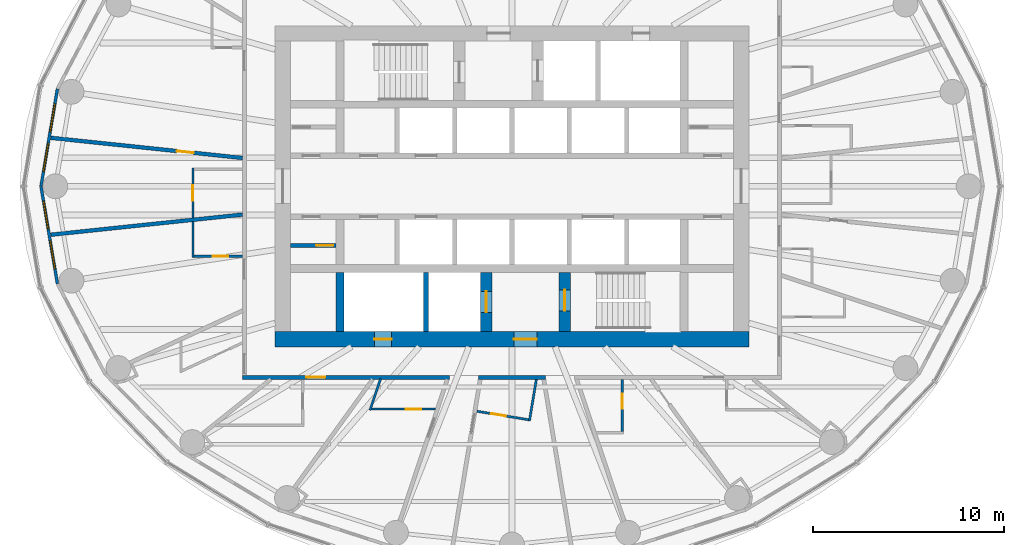
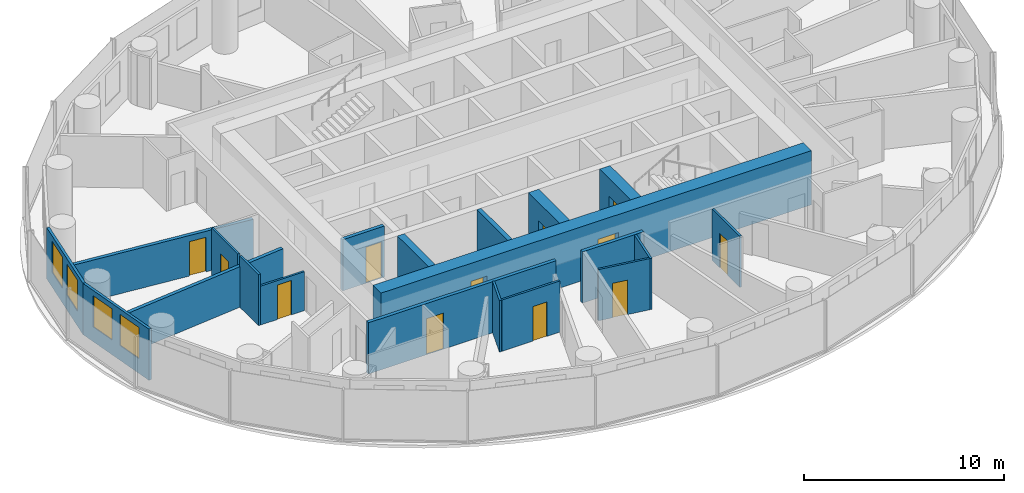
# One storey, part 7 of 13: 20 walls, 12 doors, 4 windows, 16 openings.
"""IFC4 building model written with IfcOpenShell, lengths in metres."""

from ifc_helpers import new_model, si_unit, direction, frame, frame_2d, origin, place, context, subcontext, project, spatial, rectangle, extrude, material, layer, layer_set, type_object, element, fill, save


model = new_model("IFC4")

# Units and contexts
model_context = context("Model", 3, precision=1e-05, world=origin(), true_north=direction((0.0, 1.0)))
body_context = subcontext(model_context, "Body", "Model", "MODEL_VIEW")
ifc_project = project(units=[si_unit("LENGTHUNIT", "METRE"), si_unit("AREAUNIT", "SQUARE_METRE"), si_unit("VOLUMEUNIT", "CUBIC_METRE"), si_unit("PLANEANGLEUNIT", "RADIAN"), si_unit("MASSUNIT", "GRAM", prefix="KILO")], contexts=[model_context])

# Site, building, storey
site_placement = place(None, origin())
site = spatial("IfcSite", under=ifc_project, at=site_placement, CompositionType="ELEMENT")
building_placement = place(site_placement, origin())
building = spatial("IfcBuilding", under=site, at=building_placement, Name="Hankou Lantern Tower", CompositionType="ELEMENT")
storey_placement = place(building_placement, frame((0.0, 0.0, 128.699951171875)))
storey = spatial("IfcBuildingStorey", under=building, at=storey_placement, Name="L33", CompositionType="ELEMENT", Elevation=128.699951171875)

# Wall, openings, doors
ifc_material_1 = material(Name="Concrete C60", Category="concrete")
ifc_layer_1 = layer(ifc_material_1, 0.800048828125)
ifc_layer_set_1 = layer_set([ifc_layer_1], Name="Concrete C60")
wall_type_1 = type_object("IfcWallType", Name="CW2 CORE WALL 800", PredefinedType="SHEAR", material=ifc_layer_set_1)
wall_1_placement = place(storey_placement, frame((12.39990234375, -8.0, 0.0), z_axis=(0.0, 0.0, 1.0), x_axis=(-1.0, 0.0, 0.0)))
wall_1 = element("IfcWall", 1, at=wall_1_placement, inside=storey, type_object=wall_type_1, Name="Core wall south L33", PredefinedType="SHEAR", context=body_context, shape_type="SweptSolid", body=[
    extrude(rectangle(XDim=24.7998046875, YDim=0.800048828125, at=frame_2d((12.39990234375, 0.0))), origin(), (0.0, 0.0, 1.0), 3.300048828125),
])
opening_1_placement = place(wall_1_placement, frame((11.10009765625, 0.0, 0.0)))
opening_1 = element("IfcOpeningElement", 2, at=opening_1_placement, cuts=wall_1, Name="Opening D5", PredefinedType="OPENING", context=body_context, shape_type="SweptSolid", body=[
    extrude(rectangle(XDim=1.199951171875, YDim=2.199951171875, at=frame_2d((0.60009765625, 1.10009765625))), frame((0.0, 0.409912109375, 0.0), z_axis=(0.0, -1.0, 0.0), x_axis=(1.0, 0.0, 0.0)), (0.0, 0.0, 1.0), 0.820068359375),
])
opening_2_placement = place(wall_1_placement, frame((18.699951171875, 0.0, 0.0)))
opening_2 = element("IfcOpeningElement", 3, at=opening_2_placement, cuts=wall_1, Name="Opening D7", PredefinedType="OPENING", context=body_context, shape_type="SweptSolid", body=[
    extrude(rectangle(XDim=0.89990234375, YDim=2.199951171875, at=frame_2d((0.449951171875, 1.10009765625))), frame((0.0, 0.409912109375, 0.0), z_axis=(0.0, -1.0, 0.0), x_axis=(1.0, 0.0, 0.0)), (0.0, 0.0, 1.0), 0.820068359375),
])
ifc_material_2 = material(Name="Steel door leaf", Category="steel")
door_type_1 = type_object("IfcDoorType", Name="D5 STAIR LOBBY DOOR 1200X2200", OperationType="SINGLE_SWING_LEFT", PredefinedType="DOOR", material=ifc_material_2)
door_1_placement = place(opening_1_placement, origin())
door_1 = element("IfcDoor", 4, at=door_1_placement, inside=storey, type_object=door_type_1, Name="Stair B lobby door", OperationType="SINGLE_SWING_LEFT", OverallHeight=2.199951171875, OverallWidth=1.199951171875, PredefinedType="DOOR", context=body_context, shape_type="SweptSolid", body=[
    extrude(rectangle(XDim=1.199951171875, YDim=2.199951171875, at=frame_2d((0.60009765625, 1.10009765625))), frame((0.0, 0.02490234375, 0.0), z_axis=(0.0, -1.0, 0.0), x_axis=(1.0, 0.0, 0.0)), (0.0, 0.0, 1.0), 0.050048828125),
])
fill(opening_1, door_1)
ifc_material_3 = material(Name="Steel door leaf", Category="steel")
door_type_2 = type_object("IfcDoorType", Name="D7 RISER DOOR 900X2200", OperationType="SINGLE_SWING_LEFT", PredefinedType="DOOR", material=ifc_material_3)
door_2_placement = place(opening_2_placement, origin())
door_2 = element("IfcDoor", 5, at=door_2_placement, inside=storey, type_object=door_type_2, Name="Riser S1 door", OperationType="SINGLE_SWING_RIGHT", OverallHeight=2.199951171875, OverallWidth=0.89990234375, PredefinedType="DOOR", context=body_context, shape_type="SweptSolid", body=[
    extrude(rectangle(XDim=0.89990234375, YDim=2.199951171875, at=frame_2d((0.449951171875, 1.10009765625))), frame((0.0, 0.02490234375, 0.0), z_axis=(0.0, -1.0, 0.0), x_axis=(1.0, 0.0, 0.0)), (0.0, 0.0, 1.0), 0.050048828125),
])
fill(opening_2, door_2)

# Wall
ifc_material_4 = material(Name="Concrete C60", Category="concrete")
ifc_layer_2 = layer(ifc_material_4, 0.39990234375)
ifc_layer_set_2 = layer_set([ifc_layer_2], Name="Concrete C60")
wall_type_2 = type_object("IfcWallType", Name="CW4 CORE CROSS WALL 400", PredefinedType="SHEAR", material=ifc_layer_set_2)
wall_2_placement = place(storey_placement, frame((-9.0, -7.60009765625, 0.0), z_axis=(0.0, 0.0, 1.0), x_axis=(0.0, 1.0, 0.0)))
element("IfcWall", 6, at=wall_2_placement, inside=storey, type_object=wall_type_2, Name="Core strip wall L33", PredefinedType="SHEAR", context=body_context, shape_type="SweptSolid", body=[
    extrude(rectangle(XDim=3.10009765625, YDim=0.39990234375, at=frame_2d((1.550048828125, 0.0))), origin(), (0.0, 0.0, 1.0), 3.300048828125),
])

# Wall, opening, door
ifc_material_5 = material(Name="Concrete C60", Category="concrete")
ifc_layer_3 = layer(ifc_material_5, 0.60009765625)
ifc_layer_set_3 = layer_set([ifc_layer_3], Name="Concrete C60")
wall_type_3 = type_object("IfcWallType", Name="CW6 STAIR AND SHAFT WALL 600", PredefinedType="SHEAR", material=ifc_layer_set_3)
wall_3_placement = place(storey_placement, frame((2.75, -7.60009765625, 0.0), z_axis=(0.0, 0.0, 1.0), x_axis=(0.0, 1.0, 0.0)))
wall_3 = element("IfcWall", 7, at=wall_3_placement, inside=storey, type_object=wall_type_3, Name="Stair wall L33", PredefinedType="SHEAR", context=body_context, shape_type="SweptSolid", body=[
    extrude(rectangle(XDim=3.10009765625, YDim=0.60009765625, at=frame_2d((1.550048828125, 0.0))), origin(), (0.0, 0.0, 1.0), 3.300048828125),
])
opening_3_placement = place(wall_3_placement, frame((1.074951171875, 0.0, 0.0)))
opening_3 = element("IfcOpeningElement", 8, at=opening_3_placement, cuts=wall_3, Name="Opening D4", PredefinedType="OPENING", context=body_context, shape_type="SweptSolid", body=[
    extrude(rectangle(XDim=1.10009765625, YDim=2.199951171875, at=frame_2d((0.550048828125, 1.10009765625))), frame((0.0, 0.31005859375, 0.0), z_axis=(0.0, -1.0, 0.0), x_axis=(1.0, 0.0, 0.0)), (0.0, 0.0, 1.0), 0.6201171875),
])
ifc_material_6 = material(Name="Steel door leaf", Category="steel")
door_type_3 = type_object("IfcDoorType", Name="D4 STAIR DOOR 1100X2200", OperationType="SINGLE_SWING_LEFT", PredefinedType="DOOR", material=ifc_material_6)
door_3_placement = place(opening_3_placement, origin())
door_3 = element("IfcDoor", 9, at=door_3_placement, inside=storey, type_object=door_type_3, Name="Stair B door", OperationType="SINGLE_SWING_RIGHT", OverallHeight=2.199951171875, OverallWidth=1.10009765625, PredefinedType="DOOR", context=body_context, shape_type="SweptSolid", body=[
    extrude(rectangle(XDim=1.10009765625, YDim=2.199951171875, at=frame_2d((0.550048828125, 1.10009765625))), frame((0.0, 0.02490234375, 0.0), z_axis=(0.0, -1.0, 0.0), x_axis=(1.0, 0.0, 0.0)), (0.0, 0.0, 1.0), 0.050048828125),
])
fill(opening_3, door_3)

wall_4_placement = place(storey_placement, frame((-1.35009765625, -7.60009765625, 0.0), z_axis=(0.0, 0.0, 1.0), x_axis=(0.0, 1.0, 0.0)))
wall_4 = element("IfcWall", 10, at=wall_4_placement, inside=storey, type_object=wall_type_3, Name="Firefighting lift shaft wall L33", PredefinedType="SHEAR", context=body_context, shape_type="SweptSolid", body=[
    extrude(rectangle(XDim=3.10009765625, YDim=0.60009765625, at=frame_2d((1.550048828125, 0.0))), origin(), (0.0, 0.0, 1.0), 3.300048828125),
])
opening_4_placement = place(wall_4_placement, frame((1.0, 0.0, 0.0)))
opening_4 = element("IfcOpeningElement", 11, at=opening_4_placement, cuts=wall_4, Name="Opening LD2", PredefinedType="OPENING", context=body_context, shape_type="SweptSolid", body=[
    extrude(rectangle(XDim=1.10009765625, YDim=2.199951171875, at=frame_2d((0.550048828125, 1.10009765625))), frame((0.0, 0.31005859375, 0.0), z_axis=(0.0, -1.0, 0.0), x_axis=(1.0, 0.0, 0.0)), (0.0, 0.0, 1.0), 0.6201171875),
])
ifc_material_7 = material(Name="Steel door leaf", Category="steel")
door_type_4 = type_object("IfcDoorType", Name="LD2 FIREFIGHTING LIFT LANDING DOOR 1100X2200", OperationType="DOUBLE_DOOR_SLIDING", PredefinedType="DOOR", material=ifc_material_7)
door_4_placement = place(opening_4_placement, origin())
door_4 = element("IfcDoor", 12, at=door_4_placement, inside=storey, type_object=door_type_4, Name="Firefighting lift FL2 landing door", OperationType="DOUBLE_DOOR_SLIDING", OverallHeight=2.199951171875, OverallWidth=1.10009765625, PredefinedType="DOOR", context=body_context, shape_type="SweptSolid", body=[
    extrude(rectangle(XDim=1.10009765625, YDim=2.199951171875, at=frame_2d((0.550048828125, 1.10009765625))), frame((0.0, 0.02490234375, 0.0), z_axis=(0.0, -1.0, 0.0), x_axis=(1.0, 0.0, 0.0)), (0.0, 0.0, 1.0), 0.050048828125),
])
fill(opening_4, door_4)

# Wall, openings, windows
ifc_material_8 = material(Name="Aluminium spandrel panel on steel studs", Category="steel")
ifc_layer_4 = layer(ifc_material_8, 0.14990234375)
ifc_layer_set_4 = layer_set([ifc_layer_4], Name="Aluminium spandrel panel on steel studs")
wall_type_4 = type_object("IfcWallType", Name="EW1 INNER SKIN WALL 150", PredefinedType="ELEMENTEDWALL", material=ifc_layer_set_4)
wall_5_placement = place(storey_placement, frame((-23.7919921875, 5.10009765625, 0.0), z_axis=(0.0, 0.0, 1.0), x_axis=(-0.165883894218, -0.986145290329, 0.0)))
wall_5 = element("IfcWall", 13, at=wall_5_placement, inside=storey, type_object=wall_type_4, Name="Inner skin R12-R13 L33", PredefinedType="ELEMENTEDWALL", context=body_context, shape_type="SweptSolid", body=[
    extrude(rectangle(XDim=5.171630859375, YDim=0.14990234375, at=frame_2d((2.5859375, 0.0))), origin(), (0.0, 0.0, 1.0), 3.1201171875),
])
opening_5_placement = place(wall_5_placement, frame((0.785888671875, 0.0, 0.89990234375)))
opening_5 = element("IfcOpeningElement", 14, at=opening_5_placement, cuts=wall_5, Name="Opening W2", PredefinedType="OPENING", context=body_context, shape_type="SweptSolid", body=[
    extrude(rectangle(XDim=1.5, YDim=1.89990234375, at=frame_2d((0.75, 0.949951171875))), frame((0.0, 0.0849609375, 0.0), z_axis=(0.0, -1.0, 0.0), x_axis=(1.0, 0.0, 0.0)), (0.0, 0.0, 1.0), 0.169921875),
])
opening_6_placement = place(wall_5_placement, frame((2.8857421875, 0.0, 0.89990234375)))
opening_6 = element("IfcOpeningElement", 15, at=opening_6_placement, cuts=wall_5, Name="Opening W2", PredefinedType="OPENING", context=body_context, shape_type="SweptSolid", body=[
    extrude(rectangle(XDim=1.5, YDim=1.89990234375, at=frame_2d((0.75, 0.949951171875))), frame((0.0, 0.0849609375, 0.0), z_axis=(0.0, -1.0, 0.0), x_axis=(1.0, 0.0, 0.0)), (0.0, 0.0, 1.0), 0.169921875),
])
ifc_material_9 = material(Name="Aluminium framed double glazed window", Category="aluminium")
window_type = type_object("IfcWindowType", Name="W2 GUEST ROOM WINDOW 1500X1900", PartitioningType="DOUBLE_PANEL_VERTICAL", PredefinedType="WINDOW", material=ifc_material_9)
window_1_placement = place(opening_5_placement, origin())
window_1 = element("IfcWindow", 16, at=window_1_placement, inside=storey, type_object=window_type, Name="Window R12.1 L33", OverallHeight=1.89990234375, OverallWidth=1.5, PartitioningType="SINGLE_PANEL", PredefinedType="WINDOW", context=body_context, shape_type="SweptSolid", body=[
    extrude(rectangle(XDim=1.5, YDim=1.89990234375, at=frame_2d((0.75, 0.949951171875))), frame((0.0, 0.030029296875, 0.0), z_axis=(0.0, -1.0, 0.0), x_axis=(1.0, 0.0, 0.0)), (0.0, 0.0, 1.0), 0.06005859375),
])
fill(opening_5, window_1)
window_2_placement = place(opening_6_placement, origin())
window_2 = element("IfcWindow", 17, at=window_2_placement, inside=storey, type_object=window_type, Name="Window R12.2 L33", OverallHeight=1.89990234375, OverallWidth=1.5, PartitioningType="SINGLE_PANEL", PredefinedType="WINDOW", context=body_context, shape_type="SweptSolid", body=[
    extrude(rectangle(XDim=1.5, YDim=1.89990234375, at=frame_2d((0.75, 0.949951171875))), frame((0.0, 0.030029296875, 0.0), z_axis=(0.0, -1.0, 0.0), x_axis=(1.0, 0.0, 0.0)), (0.0, 0.0, 1.0), 0.06005859375),
])
fill(opening_6, window_2)

wall_6_placement = place(storey_placement, frame((-24.64990234375, 0.0, 0.0), z_axis=(0.0, 0.0, 1.0), x_axis=(0.165883894218, -0.986145290329, 0.0)))
wall_6 = element("IfcWall", 18, at=wall_6_placement, inside=storey, type_object=wall_type_4, Name="Inner skin R13-R14 L33", PredefinedType="ELEMENTEDWALL", context=body_context, shape_type="SweptSolid", body=[
    extrude(rectangle(XDim=5.171630859375, YDim=0.14990234375, at=frame_2d((2.5859375, 0.0))), origin(), (0.0, 0.0, 1.0), 3.1201171875),
])
opening_7_placement = place(wall_6_placement, frame((0.785888671875, 0.0, 0.89990234375)))
opening_7 = element("IfcOpeningElement", 19, at=opening_7_placement, cuts=wall_6, Name="Opening W2", PredefinedType="OPENING", context=body_context, shape_type="SweptSolid", body=[
    extrude(rectangle(XDim=1.5, YDim=1.89990234375, at=frame_2d((0.75, 0.949951171875))), frame((0.0, 0.0849609375, 0.0), z_axis=(0.0, -1.0, 0.0), x_axis=(1.0, 0.0, 0.0)), (0.0, 0.0, 1.0), 0.169921875),
])
opening_8_placement = place(wall_6_placement, frame((2.8857421875, 0.0, 0.89990234375)))
opening_8 = element("IfcOpeningElement", 20, at=opening_8_placement, cuts=wall_6, Name="Opening W2", PredefinedType="OPENING", context=body_context, shape_type="SweptSolid", body=[
    extrude(rectangle(XDim=1.5, YDim=1.89990234375, at=frame_2d((0.75, 0.949951171875))), frame((0.0, 0.0849609375, 0.0), z_axis=(0.0, -1.0, 0.0), x_axis=(1.0, 0.0, 0.0)), (0.0, 0.0, 1.0), 0.169921875),
])
window_3_placement = place(opening_7_placement, origin())
window_3 = element("IfcWindow", 21, at=window_3_placement, inside=storey, type_object=window_type, Name="Window R13.1 L33", OverallHeight=1.89990234375, OverallWidth=1.5, PartitioningType="SINGLE_PANEL", PredefinedType="WINDOW", context=body_context, shape_type="SweptSolid", body=[
    extrude(rectangle(XDim=1.5, YDim=1.89990234375, at=frame_2d((0.75, 0.949951171875))), frame((0.0, 0.030029296875, 0.0), z_axis=(0.0, -1.0, 0.0), x_axis=(1.0, 0.0, 0.0)), (0.0, 0.0, 1.0), 0.06005859375),
])
fill(opening_7, window_3)
window_4_placement = place(opening_8_placement, origin())
window_4 = element("IfcWindow", 22, at=window_4_placement, inside=storey, type_object=window_type, Name="Window R13.2 L33", OverallHeight=1.89990234375, OverallWidth=1.5, PartitioningType="SINGLE_PANEL", PredefinedType="WINDOW", context=body_context, shape_type="SweptSolid", body=[
    extrude(rectangle(XDim=1.5, YDim=1.89990234375, at=frame_2d((0.75, 0.949951171875))), frame((0.0, 0.030029296875, 0.0), z_axis=(0.0, -1.0, 0.0), x_axis=(1.0, 0.0, 0.0)), (0.0, 0.0, 1.0), 0.06005859375),
])
fill(opening_8, window_4)

# Walls
ifc_material_10 = material(Name="Masonry lightweight concrete block", Category="masonry")
ifc_layer_5 = layer(ifc_material_10, 0.199951171875)
ifc_layer_set_5 = layer_set([ifc_layer_5], Name="Masonry lightweight concrete block")
wall_type_5 = type_object("IfcWallType", Name="IW1 GUEST ROOM PARTY WALL 200", PredefinedType="PARTITIONING", material=ifc_layer_set_5)
wall_7_placement = place(storey_placement, frame((-14.10009765625, -1.481689453125, 0.0), z_axis=(0.0, 0.0, 1.0), x_axis=(-0.994523202615, -0.104516024894, 0.0)))
element("IfcWall", 23, at=wall_7_placement, inside=storey, type_object=wall_type_5, Name="Party wall R13-R14", PredefinedType="PARTITIONING", context=body_context, shape_type="SweptSolid", body=[
    extrude(rectangle(XDim=10.091064453125, YDim=0.199951171875, at=frame_2d((5.04541015625, 0.0))), origin(), (0.0, 0.0, 1.0), 2.469970703125),
])
ifc_material_11 = material(Name="Masonry lightweight concrete block", Category="masonry")
ifc_layer_6 = layer(ifc_material_11, 0.199951171875)
ifc_layer_set_6 = layer_set([ifc_layer_6], Name="Masonry lightweight concrete block")
wall_type_6 = type_object("IfcWallType", Name="IW2 CORRIDOR WALL 200", PredefinedType="PARTITIONING", material=ifc_layer_set_6)
wall_8_placement = place(storey_placement, frame((1.76513671875, -10.0, 0.0), z_axis=(0.0, 0.0, 1.0), x_axis=(-1.0, 0.0, 0.0)))
element("IfcWall", 24, at=wall_8_placement, inside=storey, type_object=wall_type_6, Name="Corridor wall south", PredefinedType="PARTITIONING", context=body_context, shape_type="SweptSolid", body=[
    extrude(rectangle(XDim=3.5302734375, YDim=0.199951171875, at=frame_2d((1.76513671875, 0.0))), origin(), (0.0, 0.0, 1.0), 3.1201171875),
])

# Wall, opening, door
wall_9_placement = place(storey_placement, frame((-3.282958984375, -10.0, 0.0), z_axis=(0.0, 0.0, 1.0), x_axis=(-1.0, 0.0, 0.0)))
wall_9 = element("IfcWall", 25, at=wall_9_placement, inside=storey, type_object=wall_type_6, Name="Corridor wall south", PredefinedType="PARTITIONING", context=body_context, shape_type="SweptSolid", body=[
    extrude(rectangle(XDim=10.817138671875, YDim=0.199951171875, at=frame_2d((5.40869140625, 0.0))), origin(), (0.0, 0.0, 1.0), 3.1201171875),
])
opening_9_placement = place(wall_9_placement, frame((6.482177734375, 0.0, 0.0)))
opening_9 = element("IfcOpeningElement", 26, at=opening_9_placement, cuts=wall_9, Name="Opening D1", PredefinedType="OPENING", context=body_context, shape_type="SweptSolid", body=[
    extrude(rectangle(XDim=1.0, YDim=2.199951171875, at=frame_2d((0.5, 1.10009765625))), frame((0.0, 0.10986328125, 0.0), z_axis=(0.0, -1.0, 0.0), x_axis=(1.0, 0.0, 0.0)), (0.0, 0.0, 1.0), 0.219970703125),
])
ifc_material_12 = material(Name="Steel door leaf", Category="steel")
door_type_5 = type_object("IfcDoorType", Name="D1 GUEST ROOM DOOR 1000X2200", OperationType="SINGLE_SWING_LEFT", PredefinedType="DOOR", material=ifc_material_12)
door_5_placement = place(opening_9_placement, origin())
door_5 = element("IfcDoor", 27, at=door_5_placement, inside=storey, type_object=door_type_5, Name="Guest room door 3309", OperationType="SINGLE_SWING_RIGHT", OverallHeight=2.199951171875, OverallWidth=1.0, PredefinedType="DOOR", context=body_context, shape_type="SweptSolid", body=[
    extrude(rectangle(XDim=1.0, YDim=2.199951171875, at=frame_2d((0.5, 1.10009765625))), frame((0.0, 0.02490234375, 0.0), z_axis=(0.0, -1.0, 0.0), x_axis=(1.0, 0.0, 0.0)), (0.0, 0.0, 1.0), 0.050048828125),
])
fill(opening_9, door_5)

ifc_material_13 = material(Name="Masonry lightweight concrete block", Category="masonry")
ifc_layer_7 = layer(ifc_material_13, 0.1201171875)
ifc_layer_set_7 = layer_set([ifc_layer_7], Name="Masonry lightweight concrete block")
wall_type_7 = type_object("IfcWallType", Name="IW3 BATHROOM WALL 120", PredefinedType="PARTITIONING", material=ifc_layer_set_7)
wall_10_placement = place(storey_placement, frame((-16.699951171875, -1.655029296875, 0.0), z_axis=(0.0, 0.0, 1.0), x_axis=(0.0, 1.0, 0.0)))
wall_10 = element("IfcWall", 28, at=wall_10_placement, inside=storey, type_object=wall_type_7, Name="Box wall 3306A 1", PredefinedType="PARTITIONING", context=body_context, shape_type="SweptSolid", body=[
    extrude(rectangle(XDim=2.61328125, YDim=0.1201171875, at=frame_2d((1.306640625, 0.0))), origin(), (0.0, 0.0, 1.0), 3.1201171875),
])
opening_10_placement = place(wall_10_placement, frame((0.906494140625, 0.0, 0.0)))
opening_10 = element("IfcOpeningElement", 29, at=opening_10_placement, cuts=wall_10, Name="Opening D3", PredefinedType="OPENING", context=body_context, shape_type="SweptSolid", body=[
    extrude(rectangle(XDim=0.800048828125, YDim=2.10009765625, at=frame_2d((0.39990234375, 1.050048828125))), frame((0.0, 0.070068359375, 0.0), z_axis=(0.0, -1.0, 0.0), x_axis=(1.0, 0.0, 0.0)), (0.0, 0.0, 1.0), 0.14013671875),
])
ifc_material_14 = material(Name="Timber door leaf", Category="wood")
door_type_6 = type_object("IfcDoorType", Name="D3 BATHROOM DOOR 800X2100", OperationType="SINGLE_SWING_LEFT", PredefinedType="DOOR", material=ifc_material_14)
door_6_placement = place(opening_10_placement, origin())
door_6 = element("IfcDoor", 30, at=door_6_placement, inside=storey, type_object=door_type_6, Name="Corner suite 3306 bathroom door", OperationType="SINGLE_SWING_LEFT", OverallHeight=2.10009765625, OverallWidth=0.800048828125, PredefinedType="DOOR", context=body_context, shape_type="SweptSolid", body=[
    extrude(rectangle(XDim=0.800048828125, YDim=2.10009765625, at=frame_2d((0.39990234375, 1.050048828125))), frame((0.0, 0.02490234375, 0.0), z_axis=(0.0, -1.0, 0.0), x_axis=(1.0, 0.0, 0.0)), (0.0, 0.0, 1.0), 0.050048828125),
])
fill(opening_10, door_6)

# Wall
wall_11_placement = place(storey_placement, frame((-16.699951171875, -1.85498046875, 0.0), z_axis=(0.0, 0.0, 1.0), x_axis=(0.0, -1.0, 0.0)))
element("IfcWall", 31, at=wall_11_placement, inside=storey, type_object=wall_type_7, Name="Box wall 3307 1", PredefinedType="PARTITIONING", context=body_context, shape_type="SweptSolid", body=[
    extrude(rectangle(XDim=1.86669921875, YDim=0.1201171875, at=frame_2d((0.933349609375, 0.0))), origin(), (0.0, 0.0, 1.0), 3.1201171875),
])

# Wall, opening, door
wall_12_placement = place(storey_placement, frame((-14.10009765625, -3.661865234375, 0.0), z_axis=(0.0, 0.0, 1.0), x_axis=(-1.0, 0.0, 0.0)))
wall_12 = element("IfcWall", 32, at=wall_12_placement, inside=storey, type_object=wall_type_7, Name="Box wall 3307 1", PredefinedType="PARTITIONING", context=body_context, shape_type="SweptSolid", body=[
    extrude(rectangle(XDim=2.539794921875, YDim=0.1201171875, at=frame_2d((1.27001953125, 0.0))), origin(), (0.0, 0.0, 1.0), 2.3701171875),
])
opening_11_placement = place(wall_12_placement, frame((0.75, 0.0, 0.0)))
opening_11 = element("IfcOpeningElement", 33, at=opening_11_placement, cuts=wall_12, Name="Opening D3", PredefinedType="OPENING", context=body_context, shape_type="SweptSolid", body=[
    extrude(rectangle(XDim=0.800048828125, YDim=2.10009765625, at=frame_2d((0.39990234375, 1.050048828125))), frame((0.0, 0.070068359375, 0.0), z_axis=(0.0, -1.0, 0.0), x_axis=(1.0, 0.0, 0.0)), (0.0, 0.0, 1.0), 0.14013671875),
])
door_7_placement = place(opening_11_placement, origin())
door_7 = element("IfcDoor", 34, at=door_7_placement, inside=storey, type_object=door_type_6, Name="En-suite bathroom 3307 door", OperationType="SINGLE_SWING_LEFT", OverallHeight=2.10009765625, OverallWidth=0.800048828125, PredefinedType="DOOR", context=body_context, shape_type="SweptSolid", body=[
    extrude(rectangle(XDim=0.800048828125, YDim=2.10009765625, at=frame_2d((0.39990234375, 1.050048828125))), frame((0.0, 0.02490234375, 0.0), z_axis=(0.0, -1.0, 0.0), x_axis=(1.0, 0.0, 0.0)), (0.0, 0.0, 1.0), 0.050048828125),
])
fill(opening_11, door_7)

# Wall
wall_13_placement = place(storey_placement, frame((-6.877685546875, -10.068359375, 0.0), z_axis=(0.0, 0.0, 1.0), x_axis=(-0.317532394508, -0.948247424694, 0.0)))
element("IfcWall", 35, at=wall_13_placement, inside=storey, type_object=wall_type_7, Name="Box wall 3310 1", PredefinedType="PARTITIONING", context=body_context, shape_type="SweptSolid", body=[
    extrude(rectangle(XDim=1.739990234375, YDim=0.1201171875, at=frame_2d((0.8701171875, 0.0))), origin(), (0.0, 0.0, 1.0), 3.1201171875),
])

# Wall, opening, door
wall_14_placement = place(storey_placement, frame((-4.01123046875, -11.661376953125, 0.0), z_axis=(0.0, 0.0, 1.0), x_axis=(-1.0, 0.0, 0.0)))
wall_14 = element("IfcWall", 36, at=wall_14_placement, inside=storey, type_object=wall_type_7, Name="Box wall 3310 1", PredefinedType="PARTITIONING", context=body_context, shape_type="SweptSolid", body=[
    extrude(rectangle(XDim=3.340087890625, YDim=0.1201171875, at=frame_2d((1.669921875, 0.0))), origin(), (0.0, 0.0, 1.0), 3.1201171875),
])
opening_12_placement = place(wall_14_placement, frame((0.75, 0.0, 0.0)))
opening_12 = element("IfcOpeningElement", 37, at=opening_12_placement, cuts=wall_14, Name="Opening D3", PredefinedType="OPENING", context=body_context, shape_type="SweptSolid", body=[
    extrude(rectangle(XDim=0.800048828125, YDim=2.10009765625, at=frame_2d((0.39990234375, 1.050048828125))), frame((0.0, 0.070068359375, 0.0), z_axis=(0.0, -1.0, 0.0), x_axis=(1.0, 0.0, 0.0)), (0.0, 0.0, 1.0), 0.14013671875),
])
door_8_placement = place(opening_12_placement, origin())
door_8 = element("IfcDoor", 38, at=door_8_placement, inside=storey, type_object=door_type_6, Name="En-suite bathroom 3310 door", OperationType="SINGLE_SWING_LEFT", OverallHeight=2.10009765625, OverallWidth=0.800048828125, PredefinedType="DOOR", context=body_context, shape_type="SweptSolid", body=[
    extrude(rectangle(XDim=0.800048828125, YDim=2.10009765625, at=frame_2d((0.39990234375, 1.050048828125))), frame((0.0, 0.02490234375, 0.0), z_axis=(0.0, -1.0, 0.0), x_axis=(1.0, 0.0, 0.0)), (0.0, 0.0, 1.0), 0.050048828125),
])
fill(opening_12, door_8)

# Wall
wall_15_placement = place(storey_placement, frame((1.271240234375, -10.1162109375, 0.0), z_axis=(0.0, 0.0, 1.0), x_axis=(-0.162672481395, -0.986680122328, 0.0)))
element("IfcWall", 39, at=wall_15_placement, inside=storey, type_object=wall_type_7, Name="Box wall 3312 1", PredefinedType="PARTITIONING", context=body_context, shape_type="SweptSolid", body=[
    extrude(rectangle(XDim=2.20166015625, YDim=0.1201171875, at=frame_2d((1.100830078125, 0.0))), origin(), (0.0, 0.0, 1.0), 3.1201171875),
])

# Wall, opening, door
wall_16_placement = place(storey_placement, frame((-1.83984375, -11.77392578125, 0.0), z_axis=(0.0, 0.0, 1.0), x_axis=(0.986676602341, -0.162693830222, 0.0)))
wall_16 = element("IfcWall", 40, at=wall_16_placement, inside=storey, type_object=wall_type_7, Name="Box wall 3312 1", PredefinedType="PARTITIONING", context=body_context, shape_type="SweptSolid", body=[
    extrude(rectangle(XDim=2.740234375, YDim=0.1201171875, at=frame_2d((1.3701171875, 0.0))), origin(), (0.0, 0.0, 1.0), 3.1201171875),
])
opening_13_placement = place(wall_16_placement, frame((0.75, 0.0, 0.0)))
opening_13 = element("IfcOpeningElement", 41, at=opening_13_placement, cuts=wall_16, Name="Opening D3", PredefinedType="OPENING", context=body_context, shape_type="SweptSolid", body=[
    extrude(rectangle(XDim=0.800048828125, YDim=2.10009765625, at=frame_2d((0.39990234375, 1.050048828125))), frame((0.0, 0.070068359375, 0.0), z_axis=(0.0, -1.0, 0.0), x_axis=(1.0, 0.0, 0.0)), (0.0, 0.0, 1.0), 0.14013671875),
])
door_9_placement = place(opening_13_placement, origin())
door_9 = element("IfcDoor", 42, at=door_9_placement, inside=storey, type_object=door_type_6, Name="En-suite bathroom 3312 door", OperationType="SINGLE_SWING_LEFT", OverallHeight=2.10009765625, OverallWidth=0.800048828125, PredefinedType="DOOR", context=body_context, shape_type="SweptSolid", body=[
    extrude(rectangle(XDim=0.800048828125, YDim=2.10009765625, at=frame_2d((0.39990234375, 1.050048828125))), frame((0.0, 0.02490234375, 0.0), z_axis=(0.0, -1.0, 0.0), x_axis=(1.0, 0.0, 0.0)), (0.0, 0.0, 1.0), 0.050048828125),
])
fill(opening_13, door_9)

wall_17_placement = place(storey_placement, frame((5.762939453125, -10.10009765625, 0.0), z_axis=(0.0, 0.0, 1.0), x_axis=(0.0, -1.0, 0.0)))
wall_17 = element("IfcWall", 43, at=wall_17_placement, inside=storey, type_object=wall_type_7, Name="Box wall 3314A 1", PredefinedType="PARTITIONING", context=body_context, shape_type="SweptSolid", body=[
    extrude(rectangle(XDim=2.739990234375, YDim=0.1201171875, at=frame_2d((1.3701171875, 0.0))), origin(), (0.0, 0.0, 1.0), 3.1201171875),
])
opening_14_placement = place(wall_17_placement, frame((0.75, 0.0, 0.0)))
opening_14 = element("IfcOpeningElement", 44, at=opening_14_placement, cuts=wall_17, Name="Opening D3", PredefinedType="OPENING", context=body_context, shape_type="SweptSolid", body=[
    extrude(rectangle(XDim=0.800048828125, YDim=2.10009765625, at=frame_2d((0.39990234375, 1.050048828125))), frame((0.0, 0.070068359375, 0.0), z_axis=(0.0, -1.0, 0.0), x_axis=(1.0, 0.0, 0.0)), (0.0, 0.0, 1.0), 0.14013671875),
])
door_10_placement = place(opening_14_placement, origin())
door_10 = element("IfcDoor", 45, at=door_10_placement, inside=storey, type_object=door_type_6, Name="Suite 3314 bathroom door", OperationType="SINGLE_SWING_LEFT", OverallHeight=2.10009765625, OverallWidth=0.800048828125, PredefinedType="DOOR", context=body_context, shape_type="SweptSolid", body=[
    extrude(rectangle(XDim=0.800048828125, YDim=2.10009765625, at=frame_2d((0.39990234375, 1.050048828125))), frame((0.0, 0.02490234375, 0.0), z_axis=(0.0, -1.0, 0.0), x_axis=(1.0, 0.0, 0.0)), (0.0, 0.0, 1.0), 0.050048828125),
])
fill(opening_14, door_10)

ifc_material_15 = material(Name="Masonry lightweight concrete block", Category="masonry")
ifc_layer_8 = layer(ifc_material_15, 0.199951171875)
ifc_layer_set_8 = layer_set([ifc_layer_8], Name="Masonry lightweight concrete block")
wall_type_8 = type_object("IfcWallType", Name="IW6 SUITE PARTITION 200", PredefinedType="PARTITIONING", material=ifc_layer_set_8)
wall_18_placement = place(storey_placement, frame((-14.10009765625, 1.481689453125, 0.0), z_axis=(0.0, 0.0, 1.0), x_axis=(-0.994523202615, 0.104516024894, 0.0)))
wall_18 = element("IfcWall", 46, at=wall_18_placement, inside=storey, type_object=wall_type_8, Name="Suite partition R12-R13", PredefinedType="PARTITIONING", context=body_context, shape_type="SweptSolid", body=[
    extrude(rectangle(XDim=10.091064453125, YDim=0.199951171875, at=frame_2d((5.04541015625, 0.0))), origin(), (0.0, 0.0, 1.0), 2.469970703125),
])
opening_15_placement = place(wall_18_placement, frame((2.570068359375, 0.0, 0.0)))
opening_15 = element("IfcOpeningElement", 47, at=opening_15_placement, cuts=wall_18, Name="Opening D27", PredefinedType="OPENING", context=body_context, shape_type="SweptSolid", body=[
    extrude(rectangle(XDim=0.89990234375, YDim=2.10009765625, at=frame_2d((0.449951171875, 1.050048828125))), frame((0.0, 0.10986328125, 0.0), z_axis=(0.0, -1.0, 0.0), x_axis=(1.0, 0.0, 0.0)), (0.0, 0.0, 1.0), 0.219970703125),
])
ifc_material_16 = material(Name="Timber door leaf", Category="wood")
door_type_7 = type_object("IfcDoorType", Name="D27 INTERNAL DOOR 900X2100", OperationType="SINGLE_SWING_LEFT", PredefinedType="DOOR", material=ifc_material_16)
door_11_placement = place(opening_15_placement, origin())
door_11 = element("IfcDoor", 48, at=door_11_placement, inside=storey, type_object=door_type_7, Name="Corner suite 3306 bedroom door", OperationType="SINGLE_SWING_LEFT", OverallHeight=2.10009765625, OverallWidth=0.89990234375, PredefinedType="DOOR", context=body_context, shape_type="SweptSolid", body=[
    extrude(rectangle(XDim=0.89990234375, YDim=2.10009765625, at=frame_2d((0.449951171875, 1.050048828125))), frame((0.0, 0.02490234375, 0.0), z_axis=(0.0, -1.0, 0.0), x_axis=(1.0, 0.0, 0.0)), (0.0, 0.0, 1.0), 0.050048828125),
])
fill(opening_15, door_11)

ifc_material_17 = material(Name="Masonry lightweight concrete block", Category="masonry")
ifc_layer_9 = layer(ifc_material_17, 0.199951171875)
ifc_layer_set_9 = layer_set([ifc_layer_9], Name="Masonry lightweight concrete block")
wall_type_9 = type_object("IfcWallType", Name="IW8 PARTITION 200", PredefinedType="PARTITIONING", material=ifc_layer_set_9)
wall_19_placement = place(storey_placement, frame((-11.60009765625, -3.10009765625, 0.0), z_axis=(0.0, 0.0, 1.0), x_axis=(1.0, 0.0, 0.0)))
wall_19 = element("IfcWall", 49, at=wall_19_placement, inside=storey, type_object=wall_type_9, Name="Partition room service pantry", PredefinedType="PARTITIONING", context=body_context, shape_type="SweptSolid", body=[
    extrude(rectangle(XDim=2.400146484375, YDim=0.199951171875, at=frame_2d((1.2001953125, 0.0))), origin(), (0.0, 0.0, 1.0), 3.1201171875),
])
opening_16_placement = place(wall_19_placement, frame((1.35009765625, 0.0, 0.0)))
opening_16 = element("IfcOpeningElement", 50, at=opening_16_placement, cuts=wall_19, Name="Opening D12", PredefinedType="OPENING", context=body_context, shape_type="SweptSolid", body=[
    extrude(rectangle(XDim=0.89990234375, YDim=2.199951171875, at=frame_2d((0.449951171875, 1.10009765625))), frame((0.0, 0.10986328125, 0.0), z_axis=(0.0, -1.0, 0.0), x_axis=(1.0, 0.0, 0.0)), (0.0, 0.0, 1.0), 0.219970703125),
])
ifc_material_18 = material(Name="Steel door leaf", Category="steel")
door_type_8 = type_object("IfcDoorType", Name="D12 STORE DOOR 900X2200", OperationType="SINGLE_SWING_LEFT", PredefinedType="DOOR", material=ifc_material_18)
door_12_placement = place(opening_16_placement, origin())
door_12 = element("IfcDoor", 51, at=door_12_placement, inside=storey, type_object=door_type_8, Name="Room service cupboard door", OperationType="SINGLE_SWING_RIGHT", OverallHeight=2.199951171875, OverallWidth=0.89990234375, PredefinedType="DOOR", context=body_context, shape_type="SweptSolid", body=[
    extrude(rectangle(XDim=0.89990234375, YDim=2.199951171875, at=frame_2d((0.449951171875, 1.10009765625))), frame((0.0, 0.02490234375, 0.0), z_axis=(0.0, -1.0, 0.0), x_axis=(1.0, 0.0, 0.0)), (0.0, 0.0, 1.0), 0.050048828125),
])
fill(opening_16, door_12)

# Wall
ifc_material_19 = material(Name="Masonry autoclaved aerated concrete block", Category="masonry")
ifc_layer_10 = layer(ifc_material_19, 0.25)
ifc_layer_set_10 = layer_set([ifc_layer_10], Name="Masonry autoclaved aerated concrete block")
wall_type_10 = type_object("IfcWallType", Name="SW1 SHAFT BLOCK WALL 250", PredefinedType="PARTITIONING", material=ifc_layer_set_10)
wall_20_placement = place(storey_placement, frame((-4.5, -7.60009765625, 0.0), z_axis=(0.0, 0.0, 1.0), x_axis=(0.0, 1.0, 0.0)))
element("IfcWall", 52, at=wall_20_placement, inside=storey, type_object=wall_type_10, Name="Riser wall L33", PredefinedType="PARTITIONING", context=body_context, shape_type="SweptSolid", body=[
    extrude(rectangle(XDim=3.10009765625, YDim=0.25, at=frame_2d((1.550048828125, 0.0))), origin(), (0.0, 0.0, 1.0), 3.300048828125),
])

save(model, "model.ifc")
